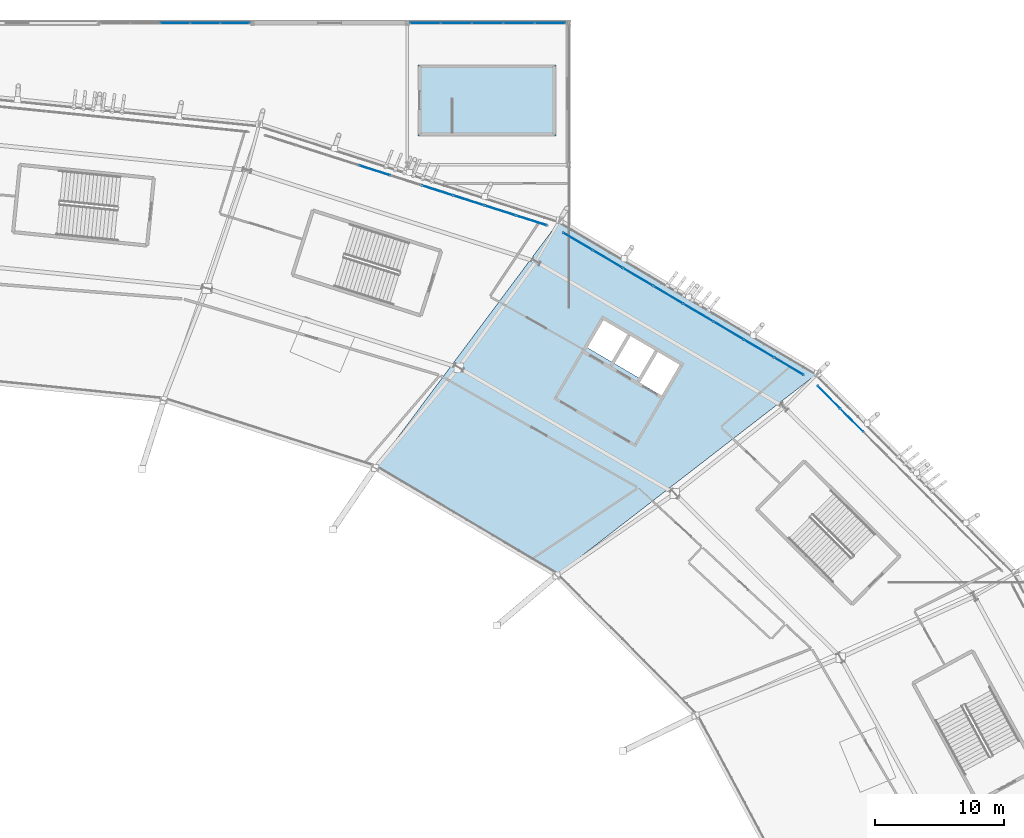
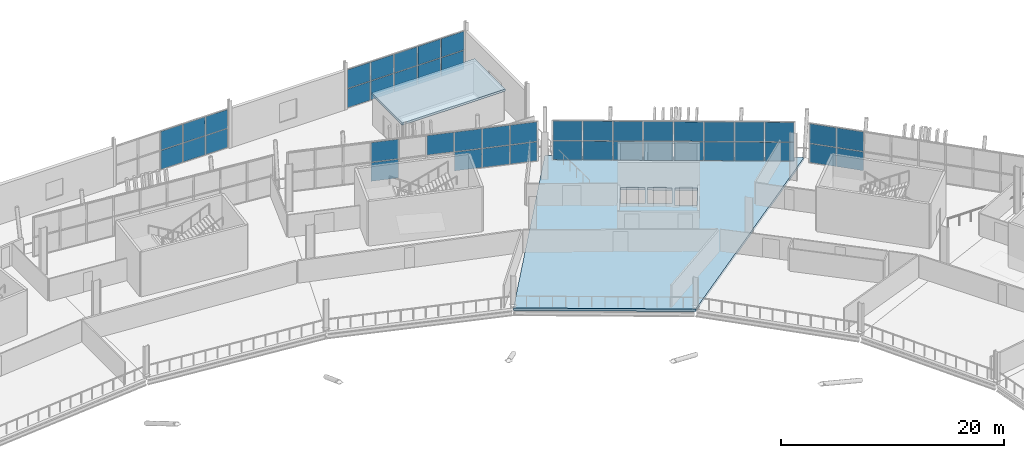
# One storey, part 91 of 168: 45 plates, 2 slabs, 5 elements without a shape of their own.
"""IFC4 building model written with IfcOpenShell, lengths in metres."""

from ifc_helpers import new_model, si_unit, direction, frame, origin, origin_2d, place, context, subcontext, project, spatial, polyline, rectangle, outline, extrude, material, layer, layer_set, type_object, element, aggregate, save


model = new_model("IFC4")

# Units and contexts
model_context = context("Model", 3, precision=1e-05, world=origin(), true_north=direction((0.0, 1.0)))
body_context = subcontext(model_context, "Body", "Model", "MODEL_VIEW")
ifc_project = project(units=[si_unit("LENGTHUNIT", "METRE"), si_unit("AREAUNIT", "SQUARE_METRE"), si_unit("VOLUMEUNIT", "CUBIC_METRE"), si_unit("PLANEANGLEUNIT", "RADIAN"), si_unit("MASSUNIT", "GRAM", prefix="KILO")], contexts=[model_context])

# Site, building, storey
site_placement = place(None, origin())
site = spatial("IfcSite", under=ifc_project, at=site_placement, CompositionType="ELEMENT")
building_placement = place(site_placement, origin())
building = spatial("IfcBuilding", under=site, at=building_placement, Name="Zlatoyarsky Gate Stadium", CompositionType="ELEMENT")
storey_placement = place(building_placement, frame((0.0, 0.0, 15.60009765625)))
storey = spatial("IfcBuildingStorey", under=building, at=storey_placement, Name="L03", CompositionType="ELEMENT", Elevation=15.60009765625)

# Slabs
ifc_material_1 = material(Name="Concrete C40/50", Category="concrete")
ifc_layer_1 = layer(ifc_material_1, 0.239990234375)
ifc_layer_set_1 = layer_set([ifc_layer_1], Name="Concrete C40/50")
slab_type_1 = type_object("IfcSlabType", Name="CONCRETE CORE TOP CAP SLAB 240", PredefinedType="ROOF", material=ifc_layer_set_1)
slab_1_placement = place(storey_placement, frame((0.0, 0.0, 3.199951171875)))
element("IfcSlab", 1, at=slab_1_placement, inside=storey, type_object=slab_type_1, Name="ST-32 stair headhouse roof cap", PredefinedType="ROOF", context=body_context, shape_type="SweptSolid", body=[
    extrude(outline(polyline([(148.35009765625, 151.25), (159.050048828125, 151.25), (159.050048828125, 156.75), (148.35009765625, 156.75), (148.35009765625, 151.25)])), origin(), (0.0, 0.0, 1.0), 0.239990234375),
])
ifc_layer_2 = layer(ifc_material_1, 0.280029296875)
ifc_layer_set_2 = layer_set([ifc_layer_2], Name="Concrete C40/50")
slab_type_2 = type_object("IfcSlabType", Name="CONCRETE HOSPITALITY SLAB 280", PredefinedType="FLOOR", material=ifc_layer_set_2)
slab_2_placement = place(storey_placement, frame((0.0, 0.0, -0.280029296875)))
element("IfcSlab", 2, at=slab_2_placement, inside=storey, type_object=slab_type_2, Name="L03 bowl sector 03 slab", PredefinedType="FLOOR", context=body_context, shape_type="SweptSolid", body=[
    extrude(outline(polyline([(145.0, 125.46630859375), (159.35107421875, 144.694091796875), (179.37890625, 132.822509765625), (159.083251953125, 117.123046875), (145.0, 125.46630859375)]), holes=[polyline([(168.688720703125, 133.486083984375), (166.962890625, 134.4970703125), (165.547607421875, 132.0810546875), (167.2734375, 131.070068359375), (168.688720703125, 133.486083984375)]), polyline([(166.747314453125, 134.623291015625), (164.84912109375, 135.7353515625), (163.58544921875, 133.578125), (165.483642578125, 132.46630859375), (166.747314453125, 134.623291015625)]), polyline([(164.63330078125, 135.86181640625), (162.735107421875, 136.9736328125), (161.471435546875, 134.816650390625), (163.36962890625, 133.70458984375), (164.63330078125, 135.86181640625)])]), origin(), (0.0, 0.0, 1.0), 0.280029296875),
])

# Curtain wall, plates
ifc_material_2 = material(Name="Thermally broken anodised aluminium curtain wall", Category="aluminium")
curtain_wall_type_1 = type_object("IfcCurtainWallType", Name="WINTER GARDEN CONSERVATORY GLAZING", PredefinedType="USERDEFINED", material=ifc_material_2)
curtain_wall_1_placement = place(storey_placement, origin())
curtain_wall_1 = element("IfcCurtainWall", 3, at=curtain_wall_1_placement, inside=storey, type_object=curtain_wall_type_1, Name="Curtain wall CW-V2_NORTH-L03-156", ObjectType="UNITISED GLAZING", PredefinedType="USERDEFINED")
ifc_material_3 = material(Name="Anodised aluminium spandrel panel", Category="aluminium")
ifc_layer_3 = layer(ifc_material_3, 0.05810546875)
ifc_layer_set_3 = layer_set([ifc_layer_3], Name="Anodised aluminium spandrel panel")
plate_type_1 = type_object("IfcPlateType", Name="INSULATED ALUMINIUM SPANDREL PANEL 58", PredefinedType="CURTAIN_PANEL", material=ifc_layer_set_3)
plate_1_placement = place(storey_placement, frame((148.895751953125, 160.0, 0.06494140625), z_axis=(0.0, 0.0, 1.0), x_axis=(1.0, 0.0, 0.0)))
plate_1 = element("IfcPlate", 4, at=plate_1_placement, type_object=plate_type_1, Name="CW-WG1 panel 1.1", PredefinedType="CURTAIN_PANEL", context=body_context, shape_type="SweptSolid", body=[
    extrude(rectangle(XDim=2.337646484375, YDim=0.05810546875, at=origin_2d()), origin(), (0.0, 0.0, 1.0), 2.052490234375),
])
plate_2_placement = place(storey_placement, frame((148.895751953125, 160.0, 2.1826171875), z_axis=(0.0, 0.0, 1.0), x_axis=(1.0, 0.0, 0.0)))
plate_2 = element("IfcPlate", 5, at=plate_2_placement, type_object=plate_type_1, Name="CW-WG1 panel 1.2", PredefinedType="CURTAIN_PANEL", context=body_context, shape_type="SweptSolid", body=[
    extrude(rectangle(XDim=2.337646484375, YDim=0.05810546875, at=origin_2d()), origin(), (0.0, 0.0, 1.0), 2.032470703125),
])
plate_3_placement = place(storey_placement, frame((151.314697265625, 160.0, 0.06494140625), z_axis=(0.0, 0.0, 1.0), x_axis=(1.0, 0.0, 0.0)))
plate_3 = element("IfcPlate", 6, at=plate_3_placement, type_object=plate_type_1, Name="CW-WG1 panel 2.1", PredefinedType="CURTAIN_PANEL", context=body_context, shape_type="SweptSolid", body=[
    extrude(rectangle(XDim=2.3701171875, YDim=0.05810546875, at=origin_2d()), origin(), (0.0, 0.0, 1.0), 2.052490234375),
])
plate_4_placement = place(storey_placement, frame((151.314697265625, 160.0, 2.1826171875), z_axis=(0.0, 0.0, 1.0), x_axis=(1.0, 0.0, 0.0)))
plate_4 = element("IfcPlate", 7, at=plate_4_placement, type_object=plate_type_1, Name="CW-WG1 panel 2.2", PredefinedType="CURTAIN_PANEL", context=body_context, shape_type="SweptSolid", body=[
    extrude(rectangle(XDim=2.3701171875, YDim=0.05810546875, at=origin_2d()), origin(), (0.0, 0.0, 1.0), 2.032470703125),
])
plate_5_placement = place(storey_placement, frame((153.75, 160.0, 0.06494140625), z_axis=(0.0, 0.0, 1.0), x_axis=(1.0, 0.0, 0.0)))
plate_5 = element("IfcPlate", 8, at=plate_5_placement, type_object=plate_type_1, Name="CW-WG1 panel 3.1", PredefinedType="CURTAIN_PANEL", context=body_context, shape_type="SweptSolid", body=[
    extrude(rectangle(XDim=2.3701171875, YDim=0.05810546875, at=origin_2d()), origin(), (0.0, 0.0, 1.0), 2.052490234375),
])
plate_6_placement = place(storey_placement, frame((153.75, 160.0, 2.1826171875), z_axis=(0.0, 0.0, 1.0), x_axis=(1.0, 0.0, 0.0)))
plate_6 = element("IfcPlate", 9, at=plate_6_placement, type_object=plate_type_1, Name="CW-WG1 panel 3.2", PredefinedType="CURTAIN_PANEL", context=body_context, shape_type="SweptSolid", body=[
    extrude(rectangle(XDim=2.3701171875, YDim=0.05810546875, at=origin_2d()), origin(), (0.0, 0.0, 1.0), 2.032470703125),
])
plate_7_placement = place(storey_placement, frame((156.185302734375, 160.0, 0.06494140625), z_axis=(0.0, 0.0, 1.0), x_axis=(1.0, 0.0, 0.0)))
plate_7 = element("IfcPlate", 10, at=plate_7_placement, type_object=plate_type_1, Name="CW-WG1 panel 4.1", PredefinedType="CURTAIN_PANEL", context=body_context, shape_type="SweptSolid", body=[
    extrude(rectangle(XDim=2.3701171875, YDim=0.05810546875, at=origin_2d()), origin(), (0.0, 0.0, 1.0), 2.052490234375),
])
plate_8_placement = place(storey_placement, frame((156.185302734375, 160.0, 2.1826171875), z_axis=(0.0, 0.0, 1.0), x_axis=(1.0, 0.0, 0.0)))
plate_8 = element("IfcPlate", 11, at=plate_8_placement, type_object=plate_type_1, Name="CW-WG1 panel 4.2", PredefinedType="CURTAIN_PANEL", context=body_context, shape_type="SweptSolid", body=[
    extrude(rectangle(XDim=2.3701171875, YDim=0.05810546875, at=origin_2d()), origin(), (0.0, 0.0, 1.0), 2.032470703125),
])
plate_9_placement = place(storey_placement, frame((158.604248046875, 160.0, 0.06494140625), z_axis=(0.0, 0.0, 1.0), x_axis=(1.0, 0.0, 0.0)))
plate_9 = element("IfcPlate", 12, at=plate_9_placement, type_object=plate_type_1, Name="CW-WG1 panel 5.1", PredefinedType="CURTAIN_PANEL", context=body_context, shape_type="SweptSolid", body=[
    extrude(rectangle(XDim=2.337646484375, YDim=0.05810546875, at=origin_2d()), origin(), (0.0, 0.0, 1.0), 2.052490234375),
])
plate_10_placement = place(storey_placement, frame((158.604248046875, 160.0, 2.1826171875), z_axis=(0.0, 0.0, 1.0), x_axis=(1.0, 0.0, 0.0)))
plate_10 = element("IfcPlate", 13, at=plate_10_placement, type_object=plate_type_1, Name="CW-WG1 panel 5.2", PredefinedType="CURTAIN_PANEL", context=body_context, shape_type="SweptSolid", body=[
    extrude(rectangle(XDim=2.337646484375, YDim=0.05810546875, at=origin_2d()), origin(), (0.0, 0.0, 1.0), 2.032470703125),
])
aggregate(curtain_wall_1, [plate_1, plate_2, plate_3, plate_4, plate_5, plate_6, plate_7, plate_8, plate_9, plate_10])

curtain_wall_type_2 = type_object("IfcCurtainWallType", Name="UNITISED CORPORATE BOX GLAZING L03", PredefinedType="USERDEFINED", material=ifc_material_2)
curtain_wall_2_placement = place(storey_placement, origin())
curtain_wall_2 = element("IfcCurtainWall", 14, at=curtain_wall_2_placement, inside=storey, type_object=curtain_wall_type_2, Name="Curtain wall CW-L03-02", ObjectType="UNITISED GLAZING", PredefinedType="USERDEFINED")
ifc_material_4 = material(Name="Triple-glazed argon low-e architectural glass", Category="glass")
ifc_layer_4 = layer(ifc_material_4, 0.0380859375)
ifc_layer_set_4 = layer_set([ifc_layer_4], Name="Triple-glazed argon low-e architectural glass")
plate_type_2 = type_object("IfcPlateType", Name="TRIPLE GLAZED LOW E CURTAIN PANEL 38", PredefinedType="CURTAIN_PANEL", material=ifc_layer_set_4)
plate_11_placement = place(storey_placement, frame((182.031005859375, 129.165771484375, 0.06494140625), z_axis=(0.0, 0.0, 1.0), x_axis=(-0.705488725202, 0.708721143054, 0.0)))
plate_11 = element("IfcPlate", 15, at=plate_11_placement, type_object=plate_type_2, Name="CW-UG3 panel 7.1", PredefinedType="CURTAIN_PANEL", context=body_context, shape_type="SweptSolid", body=[
    extrude(rectangle(XDim=2.4755859375, YDim=0.0380859375, at=origin_2d()), origin(), (0.0, 0.0, 1.0), 2.052490234375),
])
plate_12_placement = place(storey_placement, frame((182.031005859375, 129.165771484375, 2.18212890625), z_axis=(0.0, 0.0, 1.0), x_axis=(-0.705488725202, 0.708721143054, 0.0)))
plate_12 = element("IfcPlate", 16, at=plate_12_placement, type_object=plate_type_2, Name="CW-UG3 panel 7.2", PredefinedType="CURTAIN_PANEL", context=body_context, shape_type="SweptSolid", body=[
    extrude(rectangle(XDim=2.4755859375, YDim=0.0380859375, at=origin_2d()), origin(), (0.0, 0.0, 1.0), 2.132568359375),
])
plate_13_placement = place(storey_placement, frame((180.25, 130.955078125, 0.06494140625), z_axis=(0.0, 0.0, 1.0), x_axis=(-0.705488725202, 0.708721143054, 0.0)))
plate_13 = element("IfcPlate", 17, at=plate_13_placement, type_object=plate_type_2, Name="CW-UG3 panel 8.1", PredefinedType="CURTAIN_PANEL", context=body_context, shape_type="SweptSolid", body=[
    extrude(rectangle(XDim=2.443115234375, YDim=0.0380859375, at=origin_2d()), origin(), (0.0, 0.0, 1.0), 2.052490234375),
])
plate_14_placement = place(storey_placement, frame((180.25, 130.955078125, 2.18212890625), z_axis=(0.0, 0.0, 1.0), x_axis=(-0.705488725202, 0.708721143054, 0.0)))
plate_14 = element("IfcPlate", 18, at=plate_14_placement, type_object=plate_type_2, Name="CW-UG3 panel 8.2", PredefinedType="CURTAIN_PANEL", context=body_context, shape_type="SweptSolid", body=[
    extrude(rectangle(XDim=2.443115234375, YDim=0.0380859375, at=origin_2d()), origin(), (0.0, 0.0, 1.0), 2.132568359375),
])
aggregate(curtain_wall_2, [plate_11, plate_12, plate_13, plate_14])

curtain_wall_3_placement = place(storey_placement, origin())
curtain_wall_3 = element("IfcCurtainWall", 19, at=curtain_wall_3_placement, inside=storey, type_object=curtain_wall_type_2, Name="Curtain wall CW-L03-03", ObjectType="UNITISED GLAZING", PredefinedType="USERDEFINED")
plate_15_placement = place(storey_placement, frame((177.1376953125, 133.3603515625, 0.06494140625), z_axis=(0.0, 0.0, 1.0), x_axis=(-0.860708284678, 0.509098466593, 0.0)))
plate_15 = element("IfcPlate", 20, at=plate_15_placement, type_object=plate_type_2, Name="CW-UG3 panel 1.1", PredefinedType="CURTAIN_PANEL", context=body_context, shape_type="SweptSolid", body=[
    extrude(rectangle(XDim=2.62744140625, YDim=0.0380859375, at=origin_2d()), origin(), (0.0, 0.0, 1.0), 2.052490234375),
])
plate_16_placement = place(storey_placement, frame((177.1376953125, 133.3603515625, 2.18212890625), z_axis=(0.0, 0.0, 1.0), x_axis=(-0.860708284678, 0.509098466593, 0.0)))
plate_16 = element("IfcPlate", 21, at=plate_16_placement, type_object=plate_type_2, Name="CW-UG3 panel 1.2", PredefinedType="CURTAIN_PANEL", context=body_context, shape_type="SweptSolid", body=[
    extrude(rectangle(XDim=2.62744140625, YDim=0.0380859375, at=origin_2d()), origin(), (0.0, 0.0, 1.0), 2.132568359375),
])
plate_17_placement = place(storey_placement, frame((174.80615234375, 134.7392578125, 0.06494140625), z_axis=(0.0, 0.0, 1.0), x_axis=(-0.860708284678, 0.509098466593, 0.0)))
plate_17 = element("IfcPlate", 22, at=plate_17_placement, type_object=plate_type_2, Name="CW-UG3 panel 2.1", PredefinedType="CURTAIN_PANEL", context=body_context, shape_type="SweptSolid", body=[
    extrude(rectangle(XDim=2.66015625, YDim=0.0380859375, at=origin_2d()), origin(), (0.0, 0.0, 1.0), 2.052490234375),
])
plate_18_placement = place(storey_placement, frame((174.80615234375, 134.7392578125, 2.18212890625), z_axis=(0.0, 0.0, 1.0), x_axis=(-0.860708284678, 0.509098466593, 0.0)))
plate_18 = element("IfcPlate", 23, at=plate_18_placement, type_object=plate_type_2, Name="CW-UG3 panel 2.2", PredefinedType="CURTAIN_PANEL", context=body_context, shape_type="SweptSolid", body=[
    extrude(rectangle(XDim=2.66015625, YDim=0.0380859375, at=origin_2d()), origin(), (0.0, 0.0, 1.0), 2.132568359375),
])
plate_19_placement = place(storey_placement, frame((172.460693359375, 136.126708984375, 0.06494140625), z_axis=(0.0, 0.0, 1.0), x_axis=(-0.860708284678, 0.509098466593, 0.0)))
plate_19 = element("IfcPlate", 24, at=plate_19_placement, type_object=plate_type_2, Name="CW-UG3 panel 3.1", PredefinedType="CURTAIN_PANEL", context=body_context, shape_type="SweptSolid", body=[
    extrude(rectangle(XDim=2.66015625, YDim=0.0380859375, at=origin_2d()), origin(), (0.0, 0.0, 1.0), 2.052490234375),
])
plate_20_placement = place(storey_placement, frame((172.460693359375, 136.126708984375, 2.18212890625), z_axis=(0.0, 0.0, 1.0), x_axis=(-0.860708284678, 0.509098466593, 0.0)))
plate_20 = element("IfcPlate", 25, at=plate_20_placement, type_object=plate_type_2, Name="CW-UG3 panel 3.2", PredefinedType="CURTAIN_PANEL", context=body_context, shape_type="SweptSolid", body=[
    extrude(rectangle(XDim=2.66015625, YDim=0.0380859375, at=origin_2d()), origin(), (0.0, 0.0, 1.0), 2.132568359375),
])
plate_21_placement = place(storey_placement, frame((170.115234375, 137.513916015625, 0.06494140625), z_axis=(0.0, 0.0, 1.0), x_axis=(-0.860708284678, 0.509098466593, 0.0)))
plate_21 = element("IfcPlate", 26, at=plate_21_placement, type_object=plate_type_2, Name="CW-UG3 panel 4.1", PredefinedType="CURTAIN_PANEL", context=body_context, shape_type="SweptSolid", body=[
    extrude(rectangle(XDim=2.66015625, YDim=0.0380859375, at=origin_2d()), origin(), (0.0, 0.0, 1.0), 2.052490234375),
])
plate_22_placement = place(storey_placement, frame((170.115234375, 137.513916015625, 2.18212890625), z_axis=(0.0, 0.0, 1.0), x_axis=(-0.860708284678, 0.509098466593, 0.0)))
plate_22 = element("IfcPlate", 27, at=plate_22_placement, type_object=plate_type_2, Name="CW-UG3 panel 4.2", PredefinedType="CURTAIN_PANEL", context=body_context, shape_type="SweptSolid", body=[
    extrude(rectangle(XDim=2.66015625, YDim=0.0380859375, at=origin_2d()), origin(), (0.0, 0.0, 1.0), 2.132568359375),
])
plate_23_placement = place(storey_placement, frame((167.769775390625, 138.9013671875, 0.06494140625), z_axis=(0.0, 0.0, 1.0), x_axis=(-0.860708284678, 0.509098466593, 0.0)))
plate_23 = element("IfcPlate", 28, at=plate_23_placement, type_object=plate_type_2, Name="CW-UG3 panel 5.1", PredefinedType="CURTAIN_PANEL", context=body_context, shape_type="SweptSolid", body=[
    extrude(rectangle(XDim=2.66015625, YDim=0.0380859375, at=origin_2d()), origin(), (0.0, 0.0, 1.0), 2.052490234375),
])
plate_24_placement = place(storey_placement, frame((167.769775390625, 138.9013671875, 2.18212890625), z_axis=(0.0, 0.0, 1.0), x_axis=(-0.860708284678, 0.509098466593, 0.0)))
plate_24 = element("IfcPlate", 29, at=plate_24_placement, type_object=plate_type_2, Name="CW-UG3 panel 5.2", PredefinedType="CURTAIN_PANEL", context=body_context, shape_type="SweptSolid", body=[
    extrude(rectangle(XDim=2.66015625, YDim=0.0380859375, at=origin_2d()), origin(), (0.0, 0.0, 1.0), 2.132568359375),
])
plate_25_placement = place(storey_placement, frame((165.42431640625, 140.28857421875, 0.06494140625), z_axis=(0.0, 0.0, 1.0), x_axis=(-0.860708284678, 0.509098466593, 0.0)))
plate_25 = element("IfcPlate", 30, at=plate_25_placement, type_object=plate_type_2, Name="CW-UG3 panel 6.1", PredefinedType="CURTAIN_PANEL", context=body_context, shape_type="SweptSolid", body=[
    extrude(rectangle(XDim=2.66015625, YDim=0.0380859375, at=origin_2d()), origin(), (0.0, 0.0, 1.0), 2.052490234375),
])
plate_26_placement = place(storey_placement, frame((165.42431640625, 140.28857421875, 2.18212890625), z_axis=(0.0, 0.0, 1.0), x_axis=(-0.860708284678, 0.509098466593, 0.0)))
plate_26 = element("IfcPlate", 31, at=plate_26_placement, type_object=plate_type_2, Name="CW-UG3 panel 6.2", PredefinedType="CURTAIN_PANEL", context=body_context, shape_type="SweptSolid", body=[
    extrude(rectangle(XDim=2.66015625, YDim=0.0380859375, at=origin_2d()), origin(), (0.0, 0.0, 1.0), 2.132568359375),
])
plate_27_placement = place(storey_placement, frame((163.078857421875, 141.676025390625, 0.06494140625), z_axis=(0.0, 0.0, 1.0), x_axis=(-0.860708284678, 0.509098466593, 0.0)))
plate_27 = element("IfcPlate", 32, at=plate_27_placement, type_object=plate_type_2, Name="CW-UG3 panel 7.1", PredefinedType="CURTAIN_PANEL", context=body_context, shape_type="SweptSolid", body=[
    extrude(rectangle(XDim=2.66015625, YDim=0.0380859375, at=origin_2d()), origin(), (0.0, 0.0, 1.0), 2.052490234375),
])
plate_28_placement = place(storey_placement, frame((163.078857421875, 141.676025390625, 2.18212890625), z_axis=(0.0, 0.0, 1.0), x_axis=(-0.860708284678, 0.509098466593, 0.0)))
plate_28 = element("IfcPlate", 33, at=plate_28_placement, type_object=plate_type_2, Name="CW-UG3 panel 7.2", PredefinedType="CURTAIN_PANEL", context=body_context, shape_type="SweptSolid", body=[
    extrude(rectangle(XDim=2.66015625, YDim=0.0380859375, at=origin_2d()), origin(), (0.0, 0.0, 1.0), 2.132568359375),
])
plate_29_placement = place(storey_placement, frame((160.747314453125, 143.054931640625, 0.06494140625), z_axis=(0.0, 0.0, 1.0), x_axis=(-0.860708284678, 0.509098466593, 0.0)))
plate_29 = element("IfcPlate", 34, at=plate_29_placement, type_object=plate_type_2, Name="CW-UG3 panel 8.1", PredefinedType="CURTAIN_PANEL", context=body_context, shape_type="SweptSolid", body=[
    extrude(rectangle(XDim=2.62744140625, YDim=0.0380859375, at=origin_2d()), origin(), (0.0, 0.0, 1.0), 2.052490234375),
])
plate_30_placement = place(storey_placement, frame((160.747314453125, 143.054931640625, 2.18212890625), z_axis=(0.0, 0.0, 1.0), x_axis=(-0.860708284678, 0.509098466593, 0.0)))
plate_30 = element("IfcPlate", 35, at=plate_30_placement, type_object=plate_type_2, Name="CW-UG3 panel 8.2", PredefinedType="CURTAIN_PANEL", context=body_context, shape_type="SweptSolid", body=[
    extrude(rectangle(XDim=2.62744140625, YDim=0.0380859375, at=origin_2d()), origin(), (0.0, 0.0, 1.0), 2.132568359375),
])
aggregate(curtain_wall_3, [plate_15, plate_16, plate_17, plate_18, plate_19, plate_20, plate_21, plate_22, plate_23, plate_24, plate_25, plate_26, plate_27, plate_28, plate_29, plate_30])

curtain_wall_4_placement = place(storey_placement, origin())
curtain_wall_4 = element("IfcCurtainWall", 36, at=curtain_wall_4_placement, inside=storey, type_object=curtain_wall_type_2, Name="Curtain wall CW-L03-04", ObjectType="UNITISED GLAZING", PredefinedType="USERDEFINED")
plate_31_placement = place(storey_placement, frame((157.14892578125, 144.67919921875, 0.06494140625), z_axis=(0.0, 0.0, 1.0), x_axis=(-0.952620280552, 0.304162129597, 0.0)))
plate_31 = element("IfcPlate", 37, at=plate_31_placement, type_object=plate_type_2, Name="CW-UG3 panel 1.1", PredefinedType="CURTAIN_PANEL", context=body_context, shape_type="SweptSolid", body=[
    extrude(rectangle(XDim=2.458740234375, YDim=0.0380859375, at=origin_2d()), origin(), (0.0, 0.0, 1.0), 2.052490234375),
])
plate_32_placement = place(storey_placement, frame((157.14892578125, 144.67919921875, 2.18212890625), z_axis=(0.0, 0.0, 1.0), x_axis=(-0.952620280552, 0.304162129597, 0.0)))
plate_32 = element("IfcPlate", 38, at=plate_32_placement, type_object=plate_type_2, Name="CW-UG3 panel 1.2", PredefinedType="CURTAIN_PANEL", context=body_context, shape_type="SweptSolid", body=[
    extrude(rectangle(XDim=2.458740234375, YDim=0.0380859375, at=origin_2d()), origin(), (0.0, 0.0, 1.0), 2.132568359375),
])
plate_33_placement = place(storey_placement, frame((154.729248046875, 145.45166015625, 0.06494140625), z_axis=(0.0, 0.0, 1.0), x_axis=(-0.952620280552, 0.304162129597, 0.0)))
plate_33 = element("IfcPlate", 39, at=plate_33_placement, type_object=plate_type_2, Name="CW-UG3 panel 2.1", PredefinedType="CURTAIN_PANEL", context=body_context, shape_type="SweptSolid", body=[
    extrude(rectangle(XDim=2.4912109375, YDim=0.0380859375, at=origin_2d()), origin(), (0.0, 0.0, 1.0), 2.052490234375),
])
plate_34_placement = place(storey_placement, frame((154.729248046875, 145.45166015625, 2.18212890625), z_axis=(0.0, 0.0, 1.0), x_axis=(-0.952620280552, 0.304162129597, 0.0)))
plate_34 = element("IfcPlate", 40, at=plate_34_placement, type_object=plate_type_2, Name="CW-UG3 panel 2.2", PredefinedType="CURTAIN_PANEL", context=body_context, shape_type="SweptSolid", body=[
    extrude(rectangle(XDim=2.4912109375, YDim=0.0380859375, at=origin_2d()), origin(), (0.0, 0.0, 1.0), 2.132568359375),
])
plate_35_placement = place(storey_placement, frame((152.294189453125, 146.229248046875, 0.06494140625), z_axis=(0.0, 0.0, 1.0), x_axis=(-0.952620280552, 0.304162129597, 0.0)))
plate_35 = element("IfcPlate", 41, at=plate_35_placement, type_object=plate_type_2, Name="CW-UG3 panel 3.1", PredefinedType="CURTAIN_PANEL", context=body_context, shape_type="SweptSolid", body=[
    extrude(rectangle(XDim=2.4912109375, YDim=0.0380859375, at=origin_2d()), origin(), (0.0, 0.0, 1.0), 2.052490234375),
])
plate_36_placement = place(storey_placement, frame((152.294189453125, 146.229248046875, 2.18212890625), z_axis=(0.0, 0.0, 1.0), x_axis=(-0.952620280552, 0.304162129597, 0.0)))
plate_36 = element("IfcPlate", 42, at=plate_36_placement, type_object=plate_type_2, Name="CW-UG3 panel 3.2", PredefinedType="CURTAIN_PANEL", context=body_context, shape_type="SweptSolid", body=[
    extrude(rectangle(XDim=2.4912109375, YDim=0.0380859375, at=origin_2d()), origin(), (0.0, 0.0, 1.0), 2.132568359375),
])
plate_37_placement = place(storey_placement, frame((149.859130859375, 147.006591796875, 2.18212890625), z_axis=(0.0, 0.0, 1.0), x_axis=(-0.952620280552, 0.304162129597, 0.0)))
plate_37 = element("IfcPlate", 43, at=plate_37_placement, type_object=plate_type_2, Name="CW-UG3 panel 4.2", PredefinedType="CURTAIN_PANEL", context=body_context, shape_type="SweptSolid", body=[
    extrude(rectangle(XDim=2.4912109375, YDim=0.0380859375, at=origin_2d()), origin(), (0.0, 0.0, 1.0), 2.132568359375),
])
plate_38_placement = place(storey_placement, frame((144.989013671875, 148.561767578125, 0.06494140625), z_axis=(0.0, 0.0, 1.0), x_axis=(-0.952620280552, 0.304162129597, 0.0)))
plate_38 = element("IfcPlate", 44, at=plate_38_placement, type_object=plate_type_2, Name="CW-UG3 panel 6.1", PredefinedType="CURTAIN_PANEL", context=body_context, shape_type="SweptSolid", body=[
    extrude(rectangle(XDim=2.4912109375, YDim=0.0380859375, at=origin_2d()), origin(), (0.0, 0.0, 1.0), 2.052490234375),
])
plate_39_placement = place(storey_placement, frame((144.989013671875, 148.561767578125, 2.18212890625), z_axis=(0.0, 0.0, 1.0), x_axis=(-0.952620280552, 0.304162129597, 0.0)))
plate_39 = element("IfcPlate", 45, at=plate_39_placement, type_object=plate_type_2, Name="CW-UG3 panel 6.2", PredefinedType="CURTAIN_PANEL", context=body_context, shape_type="SweptSolid", body=[
    extrude(rectangle(XDim=2.4912109375, YDim=0.0380859375, at=origin_2d()), origin(), (0.0, 0.0, 1.0), 2.132568359375),
])
aggregate(curtain_wall_4, [plate_31, plate_32, plate_33, plate_34, plate_35, plate_36, plate_37, plate_38, plate_39])

curtain_wall_5_placement = place(storey_placement, origin())
curtain_wall_5 = element("IfcCurtainWall", 46, at=curtain_wall_5_placement, inside=storey, type_object=curtain_wall_type_1, Name="Curtain wall CW-V2_NORTH-L03-155", ObjectType="UNITISED GLAZING", PredefinedType="USERDEFINED")
plate_40_placement = place(storey_placement, frame((129.5, 160.0, 0.06494140625), z_axis=(0.0, 0.0, 1.0), x_axis=(1.0, 0.0, 0.0)))
plate_40 = element("IfcPlate", 47, at=plate_40_placement, type_object=plate_type_2, Name="CW-WG1 panel 3.1", PredefinedType="CURTAIN_PANEL", context=body_context, shape_type="SweptSolid", body=[
    extrude(rectangle(XDim=2.270263671875, YDim=0.0380859375, at=origin_2d()), origin(), (0.0, 0.0, 1.0), 2.052490234375),
])
plate_41_placement = place(storey_placement, frame((129.5, 160.0, 2.1826171875), z_axis=(0.0, 0.0, 1.0), x_axis=(1.0, 0.0, 0.0)))
plate_41 = element("IfcPlate", 48, at=plate_41_placement, type_object=plate_type_2, Name="CW-WG1 panel 3.2", PredefinedType="CURTAIN_PANEL", context=body_context, shape_type="SweptSolid", body=[
    extrude(rectangle(XDim=2.270263671875, YDim=0.0380859375, at=origin_2d()), origin(), (0.0, 0.0, 1.0), 2.032470703125),
])
plate_42_placement = place(storey_placement, frame((131.835205078125, 160.0, 0.06494140625), z_axis=(0.0, 0.0, 1.0), x_axis=(1.0, 0.0, 0.0)))
plate_42 = element("IfcPlate", 49, at=plate_42_placement, type_object=plate_type_2, Name="CW-WG1 panel 4.1", PredefinedType="CURTAIN_PANEL", context=body_context, shape_type="SweptSolid", body=[
    extrude(rectangle(XDim=2.270263671875, YDim=0.0380859375, at=origin_2d()), origin(), (0.0, 0.0, 1.0), 2.052490234375),
])
plate_43_placement = place(storey_placement, frame((131.835205078125, 160.0, 2.1826171875), z_axis=(0.0, 0.0, 1.0), x_axis=(1.0, 0.0, 0.0)))
plate_43 = element("IfcPlate", 50, at=plate_43_placement, type_object=plate_type_2, Name="CW-WG1 panel 4.2", PredefinedType="CURTAIN_PANEL", context=body_context, shape_type="SweptSolid", body=[
    extrude(rectangle(XDim=2.270263671875, YDim=0.0380859375, at=origin_2d()), origin(), (0.0, 0.0, 1.0), 2.032470703125),
])
plate_44_placement = place(storey_placement, frame((134.154052734375, 160.0, 0.06494140625), z_axis=(0.0, 0.0, 1.0), x_axis=(1.0, 0.0, 0.0)))
plate_44 = element("IfcPlate", 51, at=plate_44_placement, type_object=plate_type_2, Name="CW-WG1 panel 5.1", PredefinedType="CURTAIN_PANEL", context=body_context, shape_type="SweptSolid", body=[
    extrude(rectangle(XDim=2.23779296875, YDim=0.0380859375, at=origin_2d()), origin(), (0.0, 0.0, 1.0), 2.052490234375),
])
plate_45_placement = place(storey_placement, frame((134.154052734375, 160.0, 2.1826171875), z_axis=(0.0, 0.0, 1.0), x_axis=(1.0, 0.0, 0.0)))
plate_45 = element("IfcPlate", 52, at=plate_45_placement, type_object=plate_type_2, Name="CW-WG1 panel 5.2", PredefinedType="CURTAIN_PANEL", context=body_context, shape_type="SweptSolid", body=[
    extrude(rectangle(XDim=2.23779296875, YDim=0.0380859375, at=origin_2d()), origin(), (0.0, 0.0, 1.0), 2.032470703125),
])
aggregate(curtain_wall_5, [plate_40, plate_41, plate_42, plate_43, plate_44, plate_45])

save(model, "model.ifc")
